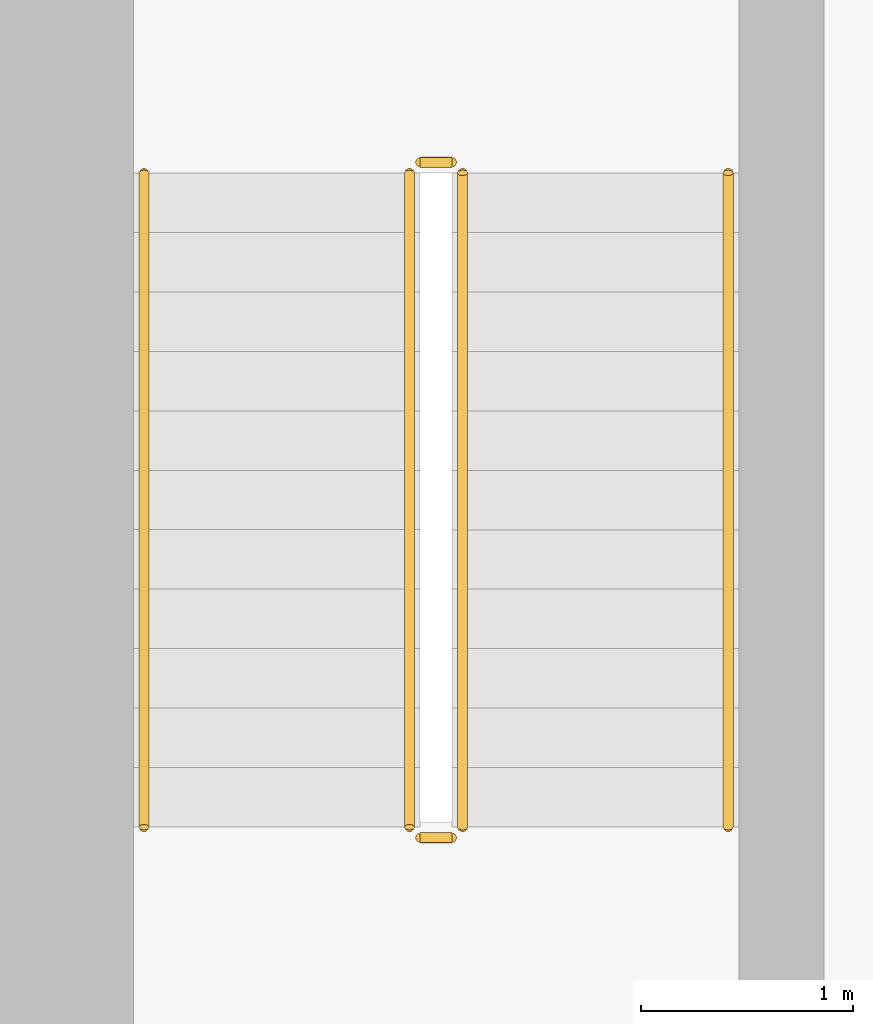
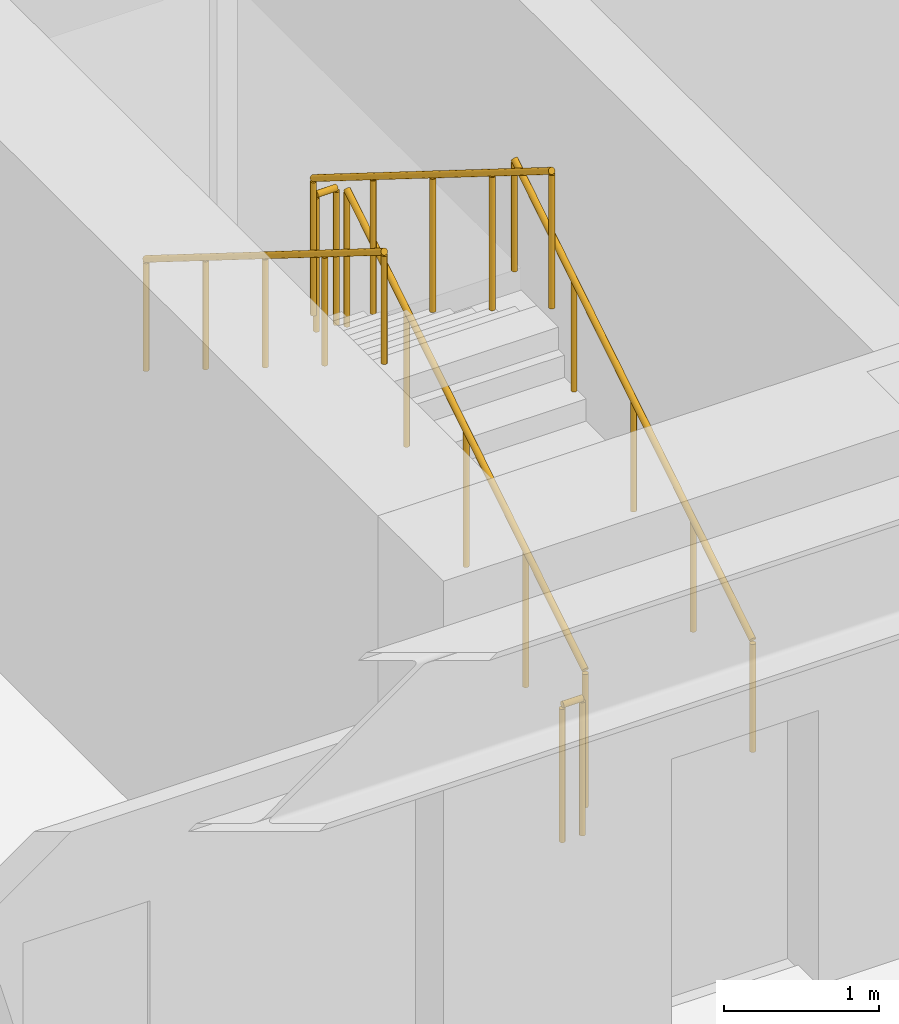
# One storey, part 7 of 11: 6 railings.
"""IFC4 building model written with IfcOpenShell, lengths in metres."""

from ifc_helpers import new_model, si_unit, direction, frame, origin, origin_2d, place, context, subcontext, project, spatial, circle, extrude, material, layer, layer_set, type_object, element, save


model = new_model("IFC4")

# Units and contexts
model_context = context("Model", 3, precision=1e-05, world=origin(), true_north=direction((0.0, 1.0)))
body_context = subcontext(model_context, "Body", "Model", "MODEL_VIEW")
ifc_project = project(units=[si_unit("LENGTHUNIT", "METRE"), si_unit("AREAUNIT", "SQUARE_METRE"), si_unit("VOLUMEUNIT", "CUBIC_METRE"), si_unit("PLANEANGLEUNIT", "RADIAN"), si_unit("MASSUNIT", "GRAM", prefix="KILO")], contexts=[model_context])

# Site, building, storey
site_placement = place(None, origin())
site = spatial("IfcSite", under=ifc_project, at=site_placement, CompositionType="ELEMENT")
building_placement = place(site_placement, origin())
building = spatial("IfcBuilding", under=site, at=building_placement, Name="Kravanh Interchange Tower", CompositionType="ELEMENT")
storey_placement = place(building_placement, frame((0.0, 0.0, -4.199951171875)))
storey = spatial("IfcBuildingStorey", under=building, at=storey_placement, Name="B1", CompositionType="ELEMENT", Elevation=-4.199951171875)

# Railings
ifc_material_1 = material(Name="Structural Steel S355", Category="steel")
ifc_layer_1 = layer(ifc_material_1, 0.050048828125)
ifc_layer_set_1 = layer_set([ifc_layer_1], Name="Stair Well Guardrail Structural Steel S355 1100mm")
railing_type_1 = type_object("IfcRailingType", Name="Stair Well Guardrail Structural Steel S355 1100mm", PredefinedType="GUARDRAIL", material=ifc_layer_set_1)
railing_1_placement = place(storey_placement, frame((25.14990234375, 39.89990234375, 0.175048828125)))
element("IfcRailing", 1, at=railing_1_placement, inside=storey, type_object=railing_type_1, Name="B1 ST3 stair guard 1", PredefinedType="GUARDRAIL", context=body_context, shape_type="SweptSolid", body=[
    extrude(circle(Radius=0.02392578125, at=origin_2d()), frame((0.0, 0.0, 1.076171875), z_axis=(0.0, 0.848028513186, 0.529950602248), x_axis=(-1.0, 0.0, 0.0)), (0.0, 0.0, 1.0), 3.632080078125),
    extrude(circle(Radius=0.02099609375, at=origin_2d()), origin(), (0.0, 0.0, 1.0), 1.052001953125),
    extrude(circle(Radius=0.02099609375, at=origin_2d()), frame((0.0, 0.77001953125, 0.481201171875)), (0.0, 0.0, 1.0), 1.052001953125),
    extrude(circle(Radius=0.02099609375, at=origin_2d()), frame((0.0, 1.5400390625, 0.96240234375)), (0.0, 0.0, 1.0), 1.052001953125),
    extrude(circle(Radius=0.02099609375, at=origin_2d()), frame((0.0, 2.31005859375, 1.443603515625)), (0.0, 0.0, 1.0), 1.052001953125),
    extrude(circle(Radius=0.02099609375, at=origin_2d()), frame((0.0, 3.080078125, 1.9248046875)), (0.0, 0.0, 1.0), 1.052001953125),
])
railing_2_placement = place(storey_placement, frame((25.10009765625, 43.030029296875, 2.099853515625)))
element("IfcRailing", 2, at=railing_2_placement, inside=storey, type_object=railing_type_1, Name="B1 ST3 stair guard 2", PredefinedType="GUARDRAIL", context=body_context, shape_type="SweptSolid", body=[
    extrude(circle(Radius=0.02392578125, at=origin_2d()), frame((0.0, 0.0, 1.076171875), z_axis=(-1.0, 0.0, 0.0), x_axis=(0.0, -1.0, 0.0)), (0.0, 0.0, 1.0), 0.150146484375),
    extrude(circle(Radius=0.02099609375, at=origin_2d()), origin(), (0.0, 0.0, 1.0), 1.052001953125),
    extrude(circle(Radius=0.02099609375, at=origin_2d()), frame((-0.150146484375, 0.0, 0.0)), (0.0, 0.0, 1.0), 1.052001953125),
])
railing_3_placement = place(storey_placement, frame((24.89990234375, 42.97998046875, 2.27490234375)))
element("IfcRailing", 3, at=railing_3_placement, inside=storey, type_object=railing_type_1, Name="B1 ST3 stair guard 3", PredefinedType="GUARDRAIL", context=body_context, shape_type="SweptSolid", body=[
    extrude(circle(Radius=0.02392578125, at=origin_2d()), frame((0.0, 0.0, 1.076171875), z_axis=(0.0, -0.847998304005, 0.529998940003), x_axis=(1.0, 0.0, 0.0)), (0.0, 0.0, 1.0), 3.632080078125),
    extrude(circle(Radius=0.02099609375, at=origin_2d()), origin(), (0.0, 0.0, 1.0), 1.052001953125),
    extrude(circle(Radius=0.02099609375, at=origin_2d()), frame((0.0, -0.77001953125, 0.481201171875)), (0.0, 0.0, 1.0), 1.052001953125),
    extrude(circle(Radius=0.02099609375, at=origin_2d()), frame((0.0, -1.5400390625, 0.96240234375)), (0.0, 0.0, 1.0), 1.052001953125),
    extrude(circle(Radius=0.02099609375, at=origin_2d()), frame((0.0, -2.31005859375, 1.44384765625)), (0.0, 0.0, 1.0), 1.052001953125),
    extrude(circle(Radius=0.02099609375, at=origin_2d()), frame((0.0, -3.080078125, 1.925048828125)), (0.0, 0.0, 1.0), 1.052001953125),
])
railing_4_placement = place(storey_placement, frame((25.10009765625, 39.85009765625, 0.0)))
element("IfcRailing", 4, at=railing_4_placement, inside=storey, type_object=railing_type_1, Name="B1 ST3 stair guard 4", PredefinedType="GUARDRAIL", context=body_context, shape_type="SweptSolid", body=[
    extrude(circle(Radius=0.02392578125, at=origin_2d()), frame((0.0, 0.0, 1.076171875), z_axis=(-1.0, 0.0, 0.0), x_axis=(0.0, -1.0, 0.0)), (0.0, 0.0, 1.0), 0.150146484375),
    extrude(circle(Radius=0.02099609375, at=origin_2d()), origin(), (0.0, 0.0, 1.0), 1.052001953125),
    extrude(circle(Radius=0.02099609375, at=origin_2d()), frame((-0.150146484375, 0.0, 0.0)), (0.0, 0.0, 1.0), 1.052001953125),
])
ifc_material_2 = material(Name="Stainless Steel 304", Category="steel")
ifc_layer_2 = layer(ifc_material_2, 0.044921875)
ifc_layer_set_2 = layer_set([ifc_layer_2], Name="Tubular Stair Handrail Stainless 304 900mm")
railing_type_2 = type_object("IfcRailingType", Name="Tubular Stair Handrail Stainless 304 900mm", PredefinedType="HANDRAIL", material=ifc_layer_set_2)
railing_5_placement = place(storey_placement, frame((26.39990234375, 39.89990234375, 0.175048828125)))
element("IfcRailing", 5, at=railing_5_placement, inside=storey, type_object=railing_type_2, Name="B1 ST3 stair handrail 1", PredefinedType="HANDRAIL", context=body_context, shape_type="SweptSolid", body=[
    extrude(circle(Radius=0.02392578125, at=origin_2d()), frame((0.0, 0.0, 0.8759765625), z_axis=(0.0, 0.848028513186, 0.529950602248), x_axis=(-1.0, 0.0, 0.0)), (0.0, 0.0, 1.0), 3.632080078125),
    extrude(circle(Radius=0.02099609375, at=origin_2d()), origin(), (0.0, 0.0, 1.0), 0.851806640625),
    extrude(circle(Radius=0.02099609375, at=origin_2d()), frame((0.0, 0.77001953125, 0.481201171875)), (0.0, 0.0, 1.0), 0.851806640625),
    extrude(circle(Radius=0.02099609375, at=origin_2d()), frame((0.0, 1.5400390625, 0.96240234375)), (0.0, 0.0, 1.0), 0.851806640625),
    extrude(circle(Radius=0.02099609375, at=origin_2d()), frame((0.0, 2.31005859375, 1.443603515625)), (0.0, 0.0, 1.0), 0.851806640625),
    extrude(circle(Radius=0.02099609375, at=origin_2d()), frame((0.0, 3.080078125, 1.9248046875)), (0.0, 0.0, 1.0), 0.851806640625),
])
railing_6_placement = place(storey_placement, frame((23.64990234375, 42.97998046875, 2.27490234375)))
element("IfcRailing", 6, at=railing_6_placement, inside=storey, type_object=railing_type_2, Name="B1 ST3 stair handrail 2", PredefinedType="HANDRAIL", context=body_context, shape_type="SweptSolid", body=[
    extrude(circle(Radius=0.02392578125, at=origin_2d()), frame((0.0, 0.0, 0.8759765625), z_axis=(0.0, -0.847998304005, 0.529998940003), x_axis=(1.0, 0.0, 0.0)), (0.0, 0.0, 1.0), 3.632080078125),
    extrude(circle(Radius=0.02099609375, at=origin_2d()), origin(), (0.0, 0.0, 1.0), 0.851806640625),
    extrude(circle(Radius=0.02099609375, at=origin_2d()), frame((0.0, -0.77001953125, 0.481201171875)), (0.0, 0.0, 1.0), 0.851806640625),
    extrude(circle(Radius=0.02099609375, at=origin_2d()), frame((0.0, -1.5400390625, 0.96240234375)), (0.0, 0.0, 1.0), 0.851806640625),
    extrude(circle(Radius=0.02099609375, at=origin_2d()), frame((0.0, -2.31005859375, 1.44384765625)), (0.0, 0.0, 1.0), 0.851806640625),
    extrude(circle(Radius=0.02099609375, at=origin_2d()), frame((0.0, -3.080078125, 1.925048828125)), (0.0, 0.0, 1.0), 0.851806640625),
])

save(model, "model.ifc")
